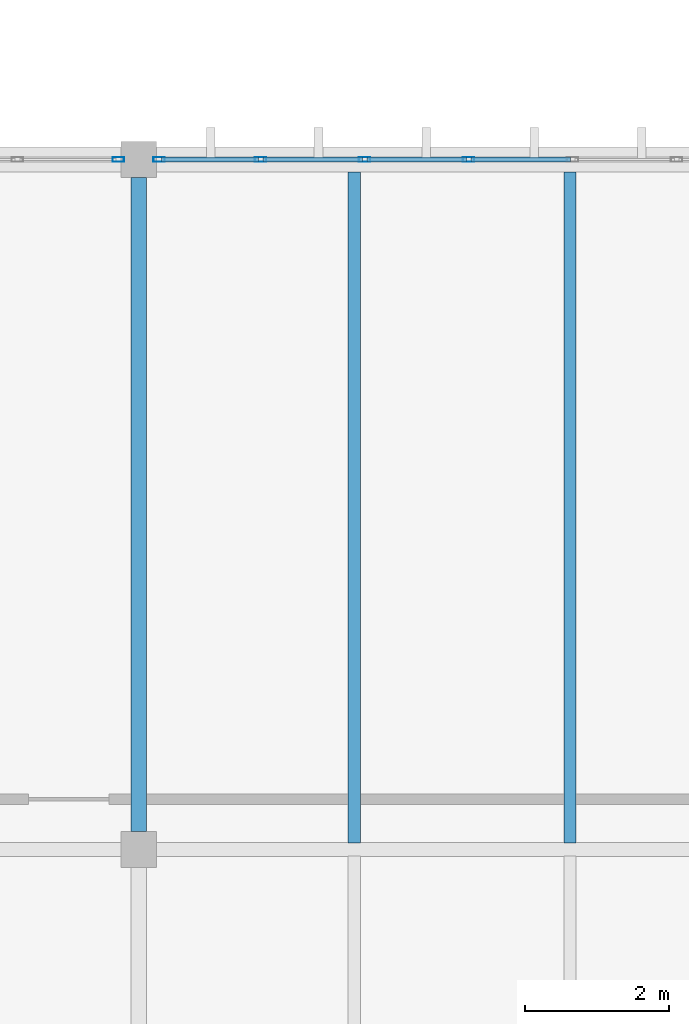
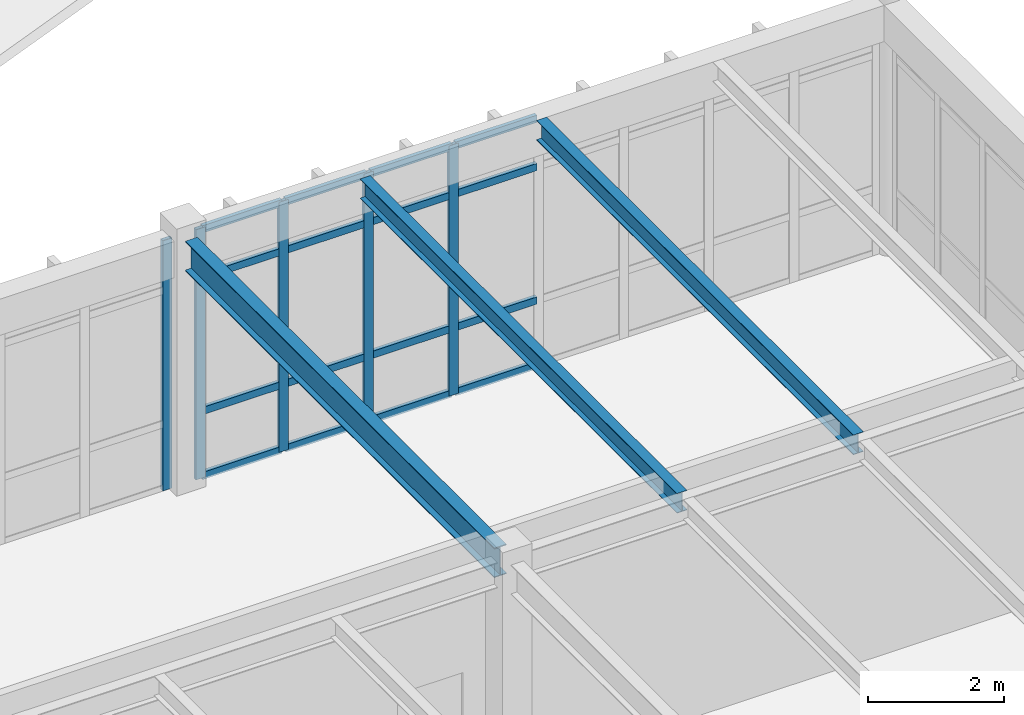
# One storey, part 22 of 236: 21 members, 3 beams, 2 elements without a shape of their own.
"""IFC4 building model written with IfcOpenShell, lengths in metres."""

from ifc_helpers import new_model, si_unit, direction, frame, origin, origin_2d, place, context, subcontext, project, spatial, hollow_rectangle, i_section, extrude, material, layer, layer_set, material_profile, profile_set, type_object, element, aggregate, save


model = new_model("IFC4")

# Units and contexts
model_context = context("Model", 3, precision=1e-05, world=origin(), true_north=direction((0.0, 1.0)))
body_context = subcontext(model_context, "Body", "Model", "MODEL_VIEW")
ifc_project = project(units=[si_unit("LENGTHUNIT", "METRE"), si_unit("AREAUNIT", "SQUARE_METRE"), si_unit("VOLUMEUNIT", "CUBIC_METRE"), si_unit("PLANEANGLEUNIT", "RADIAN"), si_unit("MASSUNIT", "GRAM", prefix="KILO")], contexts=[model_context])

# Site, building, storey
site_placement = place(None, origin())
site = spatial("IfcSite", under=ifc_project, at=site_placement, CompositionType="ELEMENT")
building_placement = place(site_placement, origin())
building = spatial("IfcBuilding", under=site, at=building_placement, Name="Pandanus Reach Market Hall", CompositionType="ELEMENT")
storey_placement = place(building_placement, frame((0.0, 0.0, 5.39990234375)))
storey = spatial("IfcBuildingStorey", under=building, at=storey_placement, Name="L01", CompositionType="ELEMENT", Elevation=5.39990234375)

# Beam
ifc_material_1 = material(Name="Steel Grade 350 (350 MPa)", Category="steel")
ifc_material_profile_1 = material_profile(ifc_material_1, i_section(OverallWidth=0.208984375, OverallDepth=0.532958984375, WebThickness=0.01025390625, FlangeThickness=0.015625, at=origin_2d()), Name="530UB92.4", Category="LoadBearing")
ifc_profile_set_1 = profile_set([ifc_material_profile_1], Name="Steel Grade 350 (350 MPa)")
beam_type_1 = type_object("IfcBeamType", Name="BM-UB530-I", PredefinedType="BEAM", material=ifc_profile_set_1)
beam_placement = place(storey_placement, frame((24.0, 19.447998046875, 4.268310546875), z_axis=(0.0, 1.0, 0.0), x_axis=(-1.0, 0.0, 0.0)))
element("IfcBeam", 1, at=beam_placement, inside=storey, type_object=beam_type_1, Name="Framing beam BM-UB530-I L01.986", PredefinedType="BEAM", context=body_context, shape_type="SweptSolid", body=[
    extrude(i_section(OverallWidth=0.208984375, OverallDepth=0.532958984375, WebThickness=0.01025390625, FlangeThickness=0.015625, at=origin_2d()), origin(), (0.0, 0.0, 1.0), 9.10400390625),
])

# Curtain wall, member
ifc_material_2 = material(Name="Bronze anodised aluminium and low-E glass", Category="aluminium")
ifc_layer_1 = layer(ifc_material_2, 0.159912109375, Name="CW-17")
ifc_layer_set_1 = layer_set([ifc_layer_1], Name="Bronze anodised aluminium and low-E glass")
curtain_wall_type_1 = type_object("IfcCurtainWallType", Name="CW-17", PredefinedType="NOTDEFINED", material=ifc_layer_set_1)
curtain_wall_1_placement = place(storey_placement, origin())
curtain_wall_1 = element("IfcCurtainWall", 2, at=curtain_wall_1_placement, inside=storey, type_object=curtain_wall_type_1, Name="Glazed curtain wall CW-17 CW-0058", PredefinedType="NOTDEFINED")
ifc_material_3 = material(Name="Bronze anodised aluminium", Category="aluminium")
ifc_material_profile_2 = material_profile(ifc_material_3, hollow_rectangle(XDim=0.06494140625, YDim=0.159912109375, WallThickness=0.00390625, at=origin_2d()), Name="ALU65x160", Category="LoadBearing")
ifc_profile_set_2 = profile_set([ifc_material_profile_2], Name="Bronze anodised aluminium")
member_type_1 = type_object("IfcMemberType", Name="CW-M1", PredefinedType="MULLION", material=ifc_profile_set_2)
member_1_placement = place(storey_placement, frame((23.717529296875, 28.800048828125, 0.0), z_axis=(0.0, 0.0, 1.0), x_axis=(0.0, 1.0, 0.0)))
member_1 = element("IfcMember", 3, at=member_1_placement, type_object=member_type_1, Name="CW-17 mullion 9", PredefinedType="MULLION", context=body_context, shape_type="SweptSolid", body=[
    extrude(hollow_rectangle(XDim=0.06494140625, YDim=0.159912109375, WallThickness=0.00390625, at=origin_2d()), origin(), (0.0, 0.0, 1.0), 4.5),
])
aggregate(curtain_wall_1, [member_1])

# Curtain wall, members
ifc_layer_2 = layer(ifc_material_2, 0.159912109375, Name="CW-18")
ifc_layer_set_2 = layer_set([ifc_layer_2], Name="Bronze anodised aluminium and low-E glass")
curtain_wall_type_2 = type_object("IfcCurtainWallType", Name="CW-18", PredefinedType="NOTDEFINED", material=ifc_layer_set_2)
curtain_wall_2_placement = place(storey_placement, origin())
curtain_wall_2 = element("IfcCurtainWall", 4, at=curtain_wall_2_placement, inside=storey, type_object=curtain_wall_type_2, Name="Glazed curtain wall CW-18 CW-0059", PredefinedType="NOTDEFINED")
member_2_placement = place(storey_placement, frame((24.282470703125, 28.800048828125, 0.0), z_axis=(0.0, 0.0, 1.0), x_axis=(0.0, 1.0, 0.0)))
member_2 = element("IfcMember", 5, at=member_2_placement, type_object=member_type_1, Name="CW-18 mullion 1", PredefinedType="MULLION", context=body_context, shape_type="SweptSolid", body=[
    extrude(hollow_rectangle(XDim=0.06494140625, YDim=0.159912109375, WallThickness=0.00390625, at=origin_2d()), origin(), (0.0, 0.0, 1.0), 4.5),
])
member_3_placement = place(storey_placement, frame((25.696533203125, 28.800048828125, 0.0), z_axis=(0.0, 0.0, 1.0), x_axis=(0.0, 1.0, 0.0)))
member_3 = element("IfcMember", 6, at=member_3_placement, type_object=member_type_1, Name="CW-18 mullion 2", PredefinedType="MULLION", context=body_context, shape_type="SweptSolid", body=[
    extrude(hollow_rectangle(XDim=0.06494140625, YDim=0.159912109375, WallThickness=0.00390625, at=origin_2d()), origin(), (0.0, 0.0, 1.0), 4.5),
])
member_4_placement = place(storey_placement, frame((27.14306640625, 28.800048828125, 0.0), z_axis=(0.0, 0.0, 1.0), x_axis=(0.0, 1.0, 0.0)))
member_4 = element("IfcMember", 7, at=member_4_placement, type_object=member_type_1, Name="CW-18 mullion 3", PredefinedType="MULLION", context=body_context, shape_type="SweptSolid", body=[
    extrude(hollow_rectangle(XDim=0.06494140625, YDim=0.159912109375, WallThickness=0.00390625, at=origin_2d()), origin(), (0.0, 0.0, 1.0), 4.5),
])
member_5_placement = place(storey_placement, frame((28.589599609375, 28.800048828125, 0.0), z_axis=(0.0, 0.0, 1.0), x_axis=(0.0, 1.0, 0.0)))
member_5 = element("IfcMember", 8, at=member_5_placement, type_object=member_type_1, Name="CW-18 mullion 4", PredefinedType="MULLION", context=body_context, shape_type="SweptSolid", body=[
    extrude(hollow_rectangle(XDim=0.06494140625, YDim=0.159912109375, WallThickness=0.00390625, at=origin_2d()), origin(), (0.0, 0.0, 1.0), 4.5),
])
ifc_material_profile_3 = material_profile(ifc_material_3, hollow_rectangle(XDim=0.06494140625, YDim=0.1298828125, WallThickness=0.00390625, at=origin_2d()), Name="ALU65x130", Category="LoadBearing")
ifc_profile_set_3 = profile_set([ifc_material_profile_3], Name="Bronze anodised aluminium")
member_type_2 = type_object("IfcMemberType", Name="CW-T1", PredefinedType="USERDEFINED", material=ifc_profile_set_3)
member_6_placement = place(storey_placement, frame((24.31494140625, 28.800048828125, 0.03271484375), z_axis=(1.0, 0.0, 0.0), x_axis=(0.0, 1.0, 0.0)))
member_6 = element("IfcMember", 9, at=member_6_placement, type_object=member_type_2, Name="CW-18 transom 1.1", ObjectType="TRANSOM", PredefinedType="USERDEFINED", context=body_context, shape_type="SweptSolid", body=[
    extrude(hollow_rectangle(XDim=0.06494140625, YDim=0.1298828125, WallThickness=0.00390625, at=origin_2d()), origin(), (0.0, 0.0, 1.0), 1.34912109375),
])
member_7_placement = place(storey_placement, frame((24.31494140625, 28.800048828125, 1.2001953125), z_axis=(1.0, 0.0, 0.0), x_axis=(0.0, 1.0, 0.0)))
member_7 = element("IfcMember", 10, at=member_7_placement, type_object=member_type_2, Name="CW-18 transom 1.2", ObjectType="TRANSOM", PredefinedType="USERDEFINED", context=body_context, shape_type="SweptSolid", body=[
    extrude(hollow_rectangle(XDim=0.06494140625, YDim=0.1298828125, WallThickness=0.00390625, at=origin_2d()), origin(), (0.0, 0.0, 1.0), 1.34912109375),
])
member_8_placement = place(storey_placement, frame((24.31494140625, 28.800048828125, 3.60009765625), z_axis=(1.0, 0.0, 0.0), x_axis=(0.0, 1.0, 0.0)))
member_8 = element("IfcMember", 11, at=member_8_placement, type_object=member_type_2, Name="CW-18 transom 1.3", ObjectType="TRANSOM", PredefinedType="USERDEFINED", context=body_context, shape_type="SweptSolid", body=[
    extrude(hollow_rectangle(XDim=0.06494140625, YDim=0.1298828125, WallThickness=0.00390625, at=origin_2d()), origin(), (0.0, 0.0, 1.0), 1.34912109375),
])
member_9_placement = place(storey_placement, frame((24.31494140625, 28.800048828125, 4.467529296875), z_axis=(1.0, 0.0, 0.0), x_axis=(0.0, 1.0, 0.0)))
member_9 = element("IfcMember", 12, at=member_9_placement, type_object=member_type_2, Name="CW-18 transom 1.4", ObjectType="TRANSOM", PredefinedType="USERDEFINED", context=body_context, shape_type="SweptSolid", body=[
    extrude(hollow_rectangle(XDim=0.06494140625, YDim=0.1298828125, WallThickness=0.00390625, at=origin_2d()), origin(), (0.0, 0.0, 1.0), 1.34912109375),
])
member_10_placement = place(storey_placement, frame((25.72900390625, 28.800048828125, 0.03271484375), z_axis=(1.0, 0.0, 0.0), x_axis=(0.0, 1.0, 0.0)))
member_10 = element("IfcMember", 13, at=member_10_placement, type_object=member_type_2, Name="CW-18 transom 2.1", ObjectType="TRANSOM", PredefinedType="USERDEFINED", context=body_context, shape_type="SweptSolid", body=[
    extrude(hollow_rectangle(XDim=0.06494140625, YDim=0.1298828125, WallThickness=0.00390625, at=origin_2d()), origin(), (0.0, 0.0, 1.0), 1.381591796875),
])
member_11_placement = place(storey_placement, frame((25.72900390625, 28.800048828125, 1.2001953125), z_axis=(1.0, 0.0, 0.0), x_axis=(0.0, 1.0, 0.0)))
member_11 = element("IfcMember", 14, at=member_11_placement, type_object=member_type_2, Name="CW-18 transom 2.2", ObjectType="TRANSOM", PredefinedType="USERDEFINED", context=body_context, shape_type="SweptSolid", body=[
    extrude(hollow_rectangle(XDim=0.06494140625, YDim=0.1298828125, WallThickness=0.00390625, at=origin_2d()), origin(), (0.0, 0.0, 1.0), 1.381591796875),
])
member_12_placement = place(storey_placement, frame((25.72900390625, 28.800048828125, 3.60009765625), z_axis=(1.0, 0.0, 0.0), x_axis=(0.0, 1.0, 0.0)))
member_12 = element("IfcMember", 15, at=member_12_placement, type_object=member_type_2, Name="CW-18 transom 2.3", ObjectType="TRANSOM", PredefinedType="USERDEFINED", context=body_context, shape_type="SweptSolid", body=[
    extrude(hollow_rectangle(XDim=0.06494140625, YDim=0.1298828125, WallThickness=0.00390625, at=origin_2d()), origin(), (0.0, 0.0, 1.0), 1.381591796875),
])
member_13_placement = place(storey_placement, frame((25.72900390625, 28.800048828125, 4.467529296875), z_axis=(1.0, 0.0, 0.0), x_axis=(0.0, 1.0, 0.0)))
member_13 = element("IfcMember", 16, at=member_13_placement, type_object=member_type_2, Name="CW-18 transom 2.4", ObjectType="TRANSOM", PredefinedType="USERDEFINED", context=body_context, shape_type="SweptSolid", body=[
    extrude(hollow_rectangle(XDim=0.06494140625, YDim=0.1298828125, WallThickness=0.00390625, at=origin_2d()), origin(), (0.0, 0.0, 1.0), 1.381591796875),
])
member_14_placement = place(storey_placement, frame((27.175537109375, 28.800048828125, 0.03271484375), z_axis=(1.0, 0.0, 0.0), x_axis=(0.0, 1.0, 0.0)))
member_14 = element("IfcMember", 17, at=member_14_placement, type_object=member_type_2, Name="CW-18 transom 3.1", ObjectType="TRANSOM", PredefinedType="USERDEFINED", context=body_context, shape_type="SweptSolid", body=[
    extrude(hollow_rectangle(XDim=0.06494140625, YDim=0.1298828125, WallThickness=0.00390625, at=origin_2d()), origin(), (0.0, 0.0, 1.0), 1.381591796875),
])
member_15_placement = place(storey_placement, frame((27.175537109375, 28.800048828125, 1.2001953125), z_axis=(1.0, 0.0, 0.0), x_axis=(0.0, 1.0, 0.0)))
member_15 = element("IfcMember", 18, at=member_15_placement, type_object=member_type_2, Name="CW-18 transom 3.2", ObjectType="TRANSOM", PredefinedType="USERDEFINED", context=body_context, shape_type="SweptSolid", body=[
    extrude(hollow_rectangle(XDim=0.06494140625, YDim=0.1298828125, WallThickness=0.00390625, at=origin_2d()), origin(), (0.0, 0.0, 1.0), 1.381591796875),
])
member_16_placement = place(storey_placement, frame((27.175537109375, 28.800048828125, 3.60009765625), z_axis=(1.0, 0.0, 0.0), x_axis=(0.0, 1.0, 0.0)))
member_16 = element("IfcMember", 19, at=member_16_placement, type_object=member_type_2, Name="CW-18 transom 3.3", ObjectType="TRANSOM", PredefinedType="USERDEFINED", context=body_context, shape_type="SweptSolid", body=[
    extrude(hollow_rectangle(XDim=0.06494140625, YDim=0.1298828125, WallThickness=0.00390625, at=origin_2d()), origin(), (0.0, 0.0, 1.0), 1.381591796875),
])
member_17_placement = place(storey_placement, frame((27.175537109375, 28.800048828125, 4.467529296875), z_axis=(1.0, 0.0, 0.0), x_axis=(0.0, 1.0, 0.0)))
member_17 = element("IfcMember", 20, at=member_17_placement, type_object=member_type_2, Name="CW-18 transom 3.4", ObjectType="TRANSOM", PredefinedType="USERDEFINED", context=body_context, shape_type="SweptSolid", body=[
    extrude(hollow_rectangle(XDim=0.06494140625, YDim=0.1298828125, WallThickness=0.00390625, at=origin_2d()), origin(), (0.0, 0.0, 1.0), 1.381591796875),
])
member_18_placement = place(storey_placement, frame((28.6220703125, 28.800048828125, 0.03271484375), z_axis=(1.0, 0.0, 0.0), x_axis=(0.0, 1.0, 0.0)))
member_18 = element("IfcMember", 21, at=member_18_placement, type_object=member_type_2, Name="CW-18 transom 4.1", ObjectType="TRANSOM", PredefinedType="USERDEFINED", context=body_context, shape_type="SweptSolid", body=[
    extrude(hollow_rectangle(XDim=0.06494140625, YDim=0.1298828125, WallThickness=0.00390625, at=origin_2d()), origin(), (0.0, 0.0, 1.0), 1.381591796875),
])
member_19_placement = place(storey_placement, frame((28.6220703125, 28.800048828125, 1.2001953125), z_axis=(1.0, 0.0, 0.0), x_axis=(0.0, 1.0, 0.0)))
member_19 = element("IfcMember", 22, at=member_19_placement, type_object=member_type_2, Name="CW-18 transom 4.2", ObjectType="TRANSOM", PredefinedType="USERDEFINED", context=body_context, shape_type="SweptSolid", body=[
    extrude(hollow_rectangle(XDim=0.06494140625, YDim=0.1298828125, WallThickness=0.00390625, at=origin_2d()), origin(), (0.0, 0.0, 1.0), 1.381591796875),
])
member_20_placement = place(storey_placement, frame((28.6220703125, 28.800048828125, 3.60009765625), z_axis=(1.0, 0.0, 0.0), x_axis=(0.0, 1.0, 0.0)))
member_20 = element("IfcMember", 23, at=member_20_placement, type_object=member_type_2, Name="CW-18 transom 4.3", ObjectType="TRANSOM", PredefinedType="USERDEFINED", context=body_context, shape_type="SweptSolid", body=[
    extrude(hollow_rectangle(XDim=0.06494140625, YDim=0.1298828125, WallThickness=0.00390625, at=origin_2d()), origin(), (0.0, 0.0, 1.0), 1.381591796875),
])
member_21_placement = place(storey_placement, frame((28.6220703125, 28.800048828125, 4.467529296875), z_axis=(1.0, 0.0, 0.0), x_axis=(0.0, 1.0, 0.0)))
member_21 = element("IfcMember", 24, at=member_21_placement, type_object=member_type_2, Name="CW-18 transom 4.4", ObjectType="TRANSOM", PredefinedType="USERDEFINED", context=body_context, shape_type="SweptSolid", body=[
    extrude(hollow_rectangle(XDim=0.06494140625, YDim=0.1298828125, WallThickness=0.00390625, at=origin_2d()), origin(), (0.0, 0.0, 1.0), 1.381591796875),
])
aggregate(curtain_wall_2, [member_2, member_3, member_4, member_5, member_6, member_7, member_8, member_9, member_10, member_11, member_12, member_13, member_14, member_15, member_16, member_17, member_18, member_19, member_20, member_21])

# Beams
ifc_material_profile_4 = material_profile(ifc_material_1, i_section(OverallWidth=0.1708984375, OverallDepth=0.35595703125, WebThickness=0.00732421875, FlangeThickness=0.011474609375, at=origin_2d()), Name="360UB50.7", Category="LoadBearing")
ifc_profile_set_4 = profile_set([ifc_material_profile_4], Name="Steel Grade 350 (350 MPa)")
beam_type_2 = type_object("IfcBeamType", Name="JS-UB360-I", PredefinedType="JOIST", material=ifc_profile_set_4)
for number, where, z_axis, x_axis, name in (
    (25, (27.0, 19.29296875, 4.376708984375), (0.0, 1.0, 0.0), (-1.0, 0.0, 0.0), "Secondary joist JS-UB360-I L01.1008"),
    (26, (30.0, 19.29296875, 4.376708984375), (0.0, 1.0, 0.0), (-1.0, 0.0, 0.0), "Secondary joist JS-UB360-I L01.1009"),
):
    element("IfcBeam", number, at=place(storey_placement, frame(where, z_axis=z_axis, x_axis=x_axis)), inside=storey, type_object=beam_type_2, Name=name, PredefinedType="JOIST", context=body_context, shape_type="SweptSolid", body=[
        extrude(i_section(OverallWidth=0.1708984375, OverallDepth=0.35595703125, WebThickness=0.00732421875, FlangeThickness=0.011474609375, at=origin_2d()), origin(), (0.0, 0.0, 1.0), 9.333984375),
    ])

save(model, "model.ifc")
